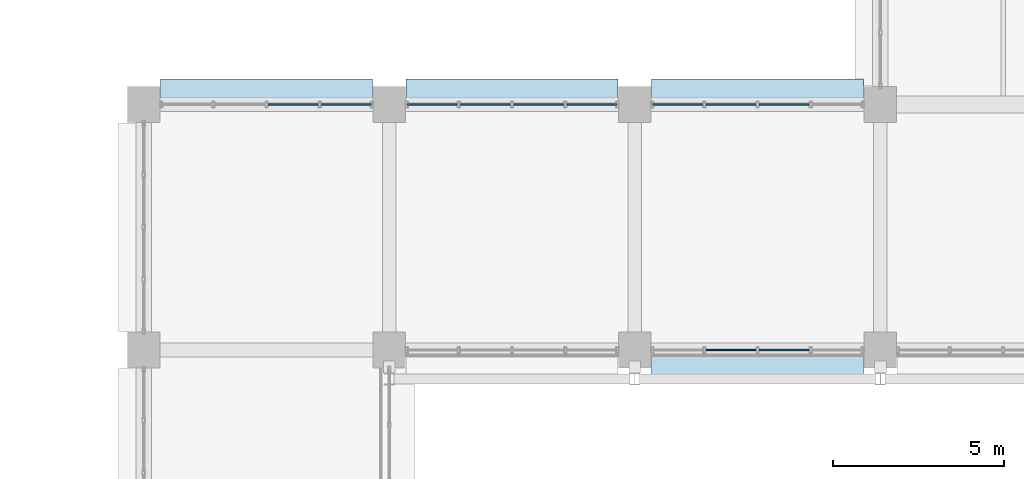
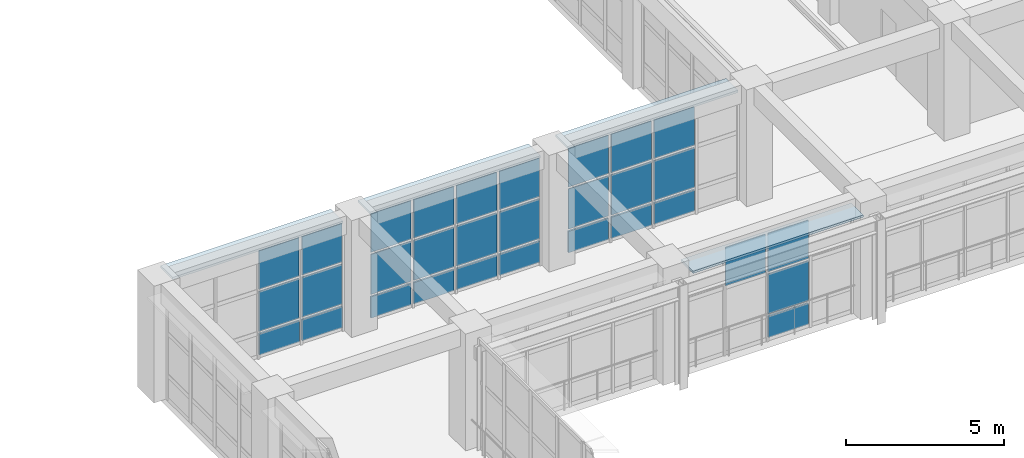
# One storey, part 128 of 171: 35 plates, 4 elements without a shape of their own.
"""IFC4 building model written with IfcOpenShell, lengths in metres."""

from ifc_helpers import new_model, si_unit, direction, frame, origin, origin_2d, place, context, subcontext, project, spatial, rectangle, extrude, material, layer, layer_set, type_object, element, aggregate, save


model = new_model("IFC4")

# Units and contexts
model_context = context("Model", 3, precision=1e-05, world=origin(), true_north=direction((0.0, 1.0)))
body_context = subcontext(model_context, "Body", "Model", "MODEL_VIEW")
ifc_project = project(units=[si_unit("LENGTHUNIT", "METRE"), si_unit("AREAUNIT", "SQUARE_METRE"), si_unit("VOLUMEUNIT", "CUBIC_METRE"), si_unit("PLANEANGLEUNIT", "RADIAN"), si_unit("MASSUNIT", "GRAM", prefix="KILO")], contexts=[model_context])

# Site, building, storey
site_placement = place(None, origin())
site = spatial("IfcSite", under=ifc_project, at=site_placement, CompositionType="ELEMENT")
building_placement = place(site_placement, origin())
building = spatial("IfcBuilding", under=site, at=building_placement, Name="Thalmaran Polytechnic", CompositionType="ELEMENT")
storey_placement = place(building_placement, frame((0.0, 0.0, 5.39990234375)))
storey = spatial("IfcBuildingStorey", under=building, at=storey_placement, Name="L01", CompositionType="ELEMENT", Elevation=5.39990234375)

# Plates
ifc_material_1 = material(Name="Anodised aluminium sun-hood eyebrow", Category="aluminium")
ifc_layer_1 = layer(ifc_material_1, 0.0849609375, Name="Anodised aluminium sun-hood eyebrow")
ifc_layer_set_1 = layer_set([ifc_layer_1], Name="Anodised aluminium sun-hood eyebrow")
plate_type_1 = type_object("IfcPlateType", Name="PT-EB01", PredefinedType="SHEET", material=ifc_layer_set_1)
for number, where, z_axis, x_axis, name in (
    (1, (126.0, 50.0400390625, 4.107666015625), (0.0, 0.0, 1.0), (-1.0, 0.0, 0.0), "Streamline Sun-Hood Eyebrow L01-CW103"),
    (2, (111.60009765625, 57.9599609375, 4.107666015625), (0.0, 0.0, 1.0), (1.0, 0.0, 0.0), "Streamline Sun-Hood Eyebrow L01-CW177"),
    (3, (118.800048828125, 57.9599609375, 4.107666015625), (0.0, 0.0, 1.0), (1.0, 0.0, 0.0), "Streamline Sun-Hood Eyebrow L01-CW178"),
    (4, (126.0, 57.9599609375, 4.107666015625), (0.0, 0.0, 1.0), (1.0, 0.0, 0.0), "Streamline Sun-Hood Eyebrow L01-CW179"),
):
    element("IfcPlate", number, at=place(storey_placement, frame(where, z_axis=z_axis, x_axis=x_axis)), inside=storey, type_object=plate_type_1, Name=name, PredefinedType="SHEET", context=body_context, shape_type="SweptSolid", body=[
        extrude(rectangle(XDim=6.2099609375, YDim=0.760009765625, at=origin_2d()), origin(), (0.0, 0.0, 1.0), 0.0849609375),
    ])

# Curtain wall, plates
ifc_material_2 = material(Name="Aluminium 6063-T6", Category="aluminium")
curtain_wall_type = type_object("IfcCurtainWallType", Name="CW-UC02", PredefinedType="USERDEFINED", material=ifc_material_2)
curtain_wall_1_placement = place(storey_placement, origin())
curtain_wall_1 = element("IfcCurtainWall", 5, at=curtain_wall_1_placement, inside=storey, type_object=curtain_wall_type, Name="Curtain Wall CW-L01-177", ObjectType="UNITISED CURTAIN WALL", PredefinedType="USERDEFINED")
ifc_material_3 = material(Name="Solar-control double low-E glass", Category="glass")
ifc_layer_2 = layer(ifc_material_3, 0.035888671875, Name="Solar-control double low-E glass")
ifc_layer_set_2 = layer_set([ifc_layer_2], Name="Solar-control double low-E glass")
plate_type_2 = type_object("IfcPlateType", Name="PT-GL03", PredefinedType="CURTAIN_PANEL", material=ifc_layer_set_2)
plate_1_placement = place(storey_placement, frame((112.38134765625, 57.60009765625, 1.000244140625), z_axis=(0.0, 0.0, 1.0), x_axis=(1.0, 0.0, 0.0)))
plate_1 = element("IfcPlate", 6, at=plate_1_placement, type_object=plate_type_2, Name="CW-L01-177 Vision Panel 3-2", PredefinedType="CURTAIN_PANEL", context=body_context, shape_type="SweptSolid", body=[
    extrude(rectangle(XDim=1.46240234375, YDim=0.035888671875, at=origin_2d()), origin(), (0.0, 0.0, 1.0), 1.544921875),
])
plate_2_placement = place(storey_placement, frame((112.38134765625, 57.60009765625, 2.625), z_axis=(0.0, 0.0, 1.0), x_axis=(1.0, 0.0, 0.0)))
plate_2 = element("IfcPlate", 7, at=plate_2_placement, type_object=plate_type_2, Name="CW-L01-177 Vision Panel 3-3", PredefinedType="CURTAIN_PANEL", context=body_context, shape_type="SweptSolid", body=[
    extrude(rectangle(XDim=1.46240234375, YDim=0.035888671875, at=origin_2d()), origin(), (0.0, 0.0, 1.0), 1.485107421875),
])
plate_3_placement = place(storey_placement, frame((113.94384765625, 57.60009765625, 1.000244140625), z_axis=(0.0, 0.0, 1.0), x_axis=(1.0, 0.0, 0.0)))
plate_3 = element("IfcPlate", 8, at=plate_3_placement, type_object=plate_type_2, Name="CW-L01-177 Vision Panel 4-2", PredefinedType="CURTAIN_PANEL", context=body_context, shape_type="SweptSolid", body=[
    extrude(rectangle(XDim=1.46240234375, YDim=0.035888671875, at=origin_2d()), origin(), (0.0, 0.0, 1.0), 1.544921875),
])
plate_4_placement = place(storey_placement, frame((113.94384765625, 57.60009765625, 2.625), z_axis=(0.0, 0.0, 1.0), x_axis=(1.0, 0.0, 0.0)))
plate_4 = element("IfcPlate", 9, at=plate_4_placement, type_object=plate_type_2, Name="CW-L01-177 Vision Panel 4-3", PredefinedType="CURTAIN_PANEL", context=body_context, shape_type="SweptSolid", body=[
    extrude(rectangle(XDim=1.46240234375, YDim=0.035888671875, at=origin_2d()), origin(), (0.0, 0.0, 1.0), 1.485107421875),
])

curtain_wall_2_placement = place(storey_placement, origin())
curtain_wall_2 = element("IfcCurtainWall", 10, at=curtain_wall_2_placement, inside=storey, type_object=curtain_wall_type, Name="Curtain Wall CW-L01-103", ObjectType="UNITISED CURTAIN WALL", PredefinedType="USERDEFINED")
ifc_layer_3 = layer(ifc_material_3, 0.035888671875, Name="Solar-control double low-E glass")
ifc_layer_set_3 = layer_set([ifc_layer_3], Name="Solar-control double low-E glass")
plate_type_3 = type_object("IfcPlateType", Name="PT-GL04", PredefinedType="CURTAIN_PANEL", material=ifc_layer_set_3)
plate_5_placement = place(storey_placement, frame((126.78125, 50.39990234375, 1.000244140625), z_axis=(0.0, 0.0, 1.0), x_axis=(-1.0, 0.0, 0.0)))
plate_5 = element("IfcPlate", 11, at=plate_5_placement, type_object=plate_type_3, Name="CW-L01-103 Vision Panel 2-2", PredefinedType="CURTAIN_PANEL", context=body_context, shape_type="SweptSolid", body=[
    extrude(rectangle(XDim=1.46240234375, YDim=0.035888671875, at=origin_2d()), origin(), (0.0, 0.0, 1.0), 1.544921875),
])
plate_6_placement = place(storey_placement, frame((126.78125, 50.39990234375, 2.625), z_axis=(0.0, 0.0, 1.0), x_axis=(-1.0, 0.0, 0.0)))
plate_6 = element("IfcPlate", 12, at=plate_6_placement, type_object=plate_type_3, Name="CW-L01-103 Vision Panel 2-3", PredefinedType="CURTAIN_PANEL", context=body_context, shape_type="SweptSolid", body=[
    extrude(rectangle(XDim=1.46240234375, YDim=0.035888671875, at=origin_2d()), origin(), (0.0, 0.0, 1.0), 1.485107421875),
])
plate_7_placement = place(storey_placement, frame((125.21875, 50.39990234375, 2.625), z_axis=(0.0, 0.0, 1.0), x_axis=(-1.0, 0.0, 0.0)))
plate_7 = element("IfcPlate", 13, at=plate_7_placement, type_object=plate_type_3, Name="CW-L01-103 Vision Panel 3-3", PredefinedType="CURTAIN_PANEL", context=body_context, shape_type="SweptSolid", body=[
    extrude(rectangle(XDim=1.46240234375, YDim=0.035888671875, at=origin_2d()), origin(), (0.0, 0.0, 1.0), 1.485107421875),
])

curtain_wall_3_placement = place(storey_placement, origin())
curtain_wall_3 = element("IfcCurtainWall", 14, at=curtain_wall_3_placement, inside=storey, type_object=curtain_wall_type, Name="Curtain Wall CW-L01-178", ObjectType="UNITISED CURTAIN WALL", PredefinedType="USERDEFINED")
plate_8_placement = place(storey_placement, frame((116.456298828125, 57.60009765625, 1.000244140625), z_axis=(0.0, 0.0, 1.0), x_axis=(1.0, 0.0, 0.0)))
plate_8 = element("IfcPlate", 15, at=plate_8_placement, type_object=plate_type_3, Name="CW-L01-178 Vision Panel 1-2", PredefinedType="CURTAIN_PANEL", context=body_context, shape_type="SweptSolid", body=[
    extrude(rectangle(XDim=1.46240234375, YDim=0.035888671875, at=origin_2d()), origin(), (0.0, 0.0, 1.0), 1.544921875),
])
plate_9_placement = place(storey_placement, frame((116.456298828125, 57.60009765625, 2.625), z_axis=(0.0, 0.0, 1.0), x_axis=(1.0, 0.0, 0.0)))
plate_9 = element("IfcPlate", 16, at=plate_9_placement, type_object=plate_type_3, Name="CW-L01-178 Vision Panel 1-3", PredefinedType="CURTAIN_PANEL", context=body_context, shape_type="SweptSolid", body=[
    extrude(rectangle(XDim=1.46240234375, YDim=0.035888671875, at=origin_2d()), origin(), (0.0, 0.0, 1.0), 1.485107421875),
])
plate_10_placement = place(storey_placement, frame((118.018798828125, 57.60009765625, 1.000244140625), z_axis=(0.0, 0.0, 1.0), x_axis=(1.0, 0.0, 0.0)))
plate_10 = element("IfcPlate", 17, at=plate_10_placement, type_object=plate_type_3, Name="CW-L01-178 Vision Panel 2-2", PredefinedType="CURTAIN_PANEL", context=body_context, shape_type="SweptSolid", body=[
    extrude(rectangle(XDim=1.46240234375, YDim=0.035888671875, at=origin_2d()), origin(), (0.0, 0.0, 1.0), 1.544921875),
])
plate_11_placement = place(storey_placement, frame((118.018798828125, 57.60009765625, 2.625), z_axis=(0.0, 0.0, 1.0), x_axis=(1.0, 0.0, 0.0)))
plate_11 = element("IfcPlate", 18, at=plate_11_placement, type_object=plate_type_3, Name="CW-L01-178 Vision Panel 2-3", PredefinedType="CURTAIN_PANEL", context=body_context, shape_type="SweptSolid", body=[
    extrude(rectangle(XDim=1.46240234375, YDim=0.035888671875, at=origin_2d()), origin(), (0.0, 0.0, 1.0), 1.485107421875),
])
plate_12_placement = place(storey_placement, frame((119.581298828125, 57.60009765625, 1.000244140625), z_axis=(0.0, 0.0, 1.0), x_axis=(1.0, 0.0, 0.0)))
plate_12 = element("IfcPlate", 19, at=plate_12_placement, type_object=plate_type_3, Name="CW-L01-178 Vision Panel 3-2", PredefinedType="CURTAIN_PANEL", context=body_context, shape_type="SweptSolid", body=[
    extrude(rectangle(XDim=1.46240234375, YDim=0.035888671875, at=origin_2d()), origin(), (0.0, 0.0, 1.0), 1.544921875),
])
plate_13_placement = place(storey_placement, frame((119.581298828125, 57.60009765625, 2.625), z_axis=(0.0, 0.0, 1.0), x_axis=(1.0, 0.0, 0.0)))
plate_13 = element("IfcPlate", 20, at=plate_13_placement, type_object=plate_type_3, Name="CW-L01-178 Vision Panel 3-3", PredefinedType="CURTAIN_PANEL", context=body_context, shape_type="SweptSolid", body=[
    extrude(rectangle(XDim=1.46240234375, YDim=0.035888671875, at=origin_2d()), origin(), (0.0, 0.0, 1.0), 1.485107421875),
])
plate_14_placement = place(storey_placement, frame((121.143798828125, 57.60009765625, 1.000244140625), z_axis=(0.0, 0.0, 1.0), x_axis=(1.0, 0.0, 0.0)))
plate_14 = element("IfcPlate", 21, at=plate_14_placement, type_object=plate_type_3, Name="CW-L01-178 Vision Panel 4-2", PredefinedType="CURTAIN_PANEL", context=body_context, shape_type="SweptSolid", body=[
    extrude(rectangle(XDim=1.46240234375, YDim=0.035888671875, at=origin_2d()), origin(), (0.0, 0.0, 1.0), 1.544921875),
])
plate_15_placement = place(storey_placement, frame((121.143798828125, 57.60009765625, 2.625), z_axis=(0.0, 0.0, 1.0), x_axis=(1.0, 0.0, 0.0)))
plate_15 = element("IfcPlate", 22, at=plate_15_placement, type_object=plate_type_3, Name="CW-L01-178 Vision Panel 4-3", PredefinedType="CURTAIN_PANEL", context=body_context, shape_type="SweptSolid", body=[
    extrude(rectangle(XDim=1.46240234375, YDim=0.035888671875, at=origin_2d()), origin(), (0.0, 0.0, 1.0), 1.485107421875),
])

curtain_wall_4_placement = place(storey_placement, origin())
curtain_wall_4 = element("IfcCurtainWall", 23, at=curtain_wall_4_placement, inside=storey, type_object=curtain_wall_type, Name="Curtain Wall CW-L01-179", ObjectType="UNITISED CURTAIN WALL", PredefinedType="USERDEFINED")
ifc_layer_4 = layer(ifc_material_3, 0.035888671875, Name="Solar-control double low-E glass")
ifc_layer_set_4 = layer_set([ifc_layer_4], Name="Solar-control double low-E glass")
plate_type_4 = type_object("IfcPlateType", Name="PT-GL05", PredefinedType="CURTAIN_PANEL", material=ifc_layer_set_4)
plate_16_placement = place(storey_placement, frame((123.65625, 57.60009765625, 1.000244140625), z_axis=(0.0, 0.0, 1.0), x_axis=(1.0, 0.0, 0.0)))
plate_16 = element("IfcPlate", 24, at=plate_16_placement, type_object=plate_type_4, Name="CW-L01-179 Vision Panel 1-2", PredefinedType="CURTAIN_PANEL", context=body_context, shape_type="SweptSolid", body=[
    extrude(rectangle(XDim=1.46240234375, YDim=0.035888671875, at=origin_2d()), origin(), (0.0, 0.0, 1.0), 1.544921875),
])
plate_17_placement = place(storey_placement, frame((123.65625, 57.60009765625, 2.625), z_axis=(0.0, 0.0, 1.0), x_axis=(1.0, 0.0, 0.0)))
plate_17 = element("IfcPlate", 25, at=plate_17_placement, type_object=plate_type_4, Name="CW-L01-179 Vision Panel 1-3", PredefinedType="CURTAIN_PANEL", context=body_context, shape_type="SweptSolid", body=[
    extrude(rectangle(XDim=1.46240234375, YDim=0.035888671875, at=origin_2d()), origin(), (0.0, 0.0, 1.0), 1.485107421875),
])
plate_18_placement = place(storey_placement, frame((125.21875, 57.60009765625, 1.000244140625), z_axis=(0.0, 0.0, 1.0), x_axis=(1.0, 0.0, 0.0)))
plate_18 = element("IfcPlate", 26, at=plate_18_placement, type_object=plate_type_4, Name="CW-L01-179 Vision Panel 2-2", PredefinedType="CURTAIN_PANEL", context=body_context, shape_type="SweptSolid", body=[
    extrude(rectangle(XDim=1.46240234375, YDim=0.035888671875, at=origin_2d()), origin(), (0.0, 0.0, 1.0), 1.544921875),
])
plate_19_placement = place(storey_placement, frame((125.21875, 57.60009765625, 2.625), z_axis=(0.0, 0.0, 1.0), x_axis=(1.0, 0.0, 0.0)))
plate_19 = element("IfcPlate", 27, at=plate_19_placement, type_object=plate_type_4, Name="CW-L01-179 Vision Panel 2-3", PredefinedType="CURTAIN_PANEL", context=body_context, shape_type="SweptSolid", body=[
    extrude(rectangle(XDim=1.46240234375, YDim=0.035888671875, at=origin_2d()), origin(), (0.0, 0.0, 1.0), 1.485107421875),
])
plate_20_placement = place(storey_placement, frame((126.78125, 57.60009765625, 1.000244140625), z_axis=(0.0, 0.0, 1.0), x_axis=(1.0, 0.0, 0.0)))
plate_20 = element("IfcPlate", 28, at=plate_20_placement, type_object=plate_type_4, Name="CW-L01-179 Vision Panel 3-2", PredefinedType="CURTAIN_PANEL", context=body_context, shape_type="SweptSolid", body=[
    extrude(rectangle(XDim=1.46240234375, YDim=0.035888671875, at=origin_2d()), origin(), (0.0, 0.0, 1.0), 1.544921875),
])
plate_21_placement = place(storey_placement, frame((126.78125, 57.60009765625, 2.625), z_axis=(0.0, 0.0, 1.0), x_axis=(1.0, 0.0, 0.0)))
plate_21 = element("IfcPlate", 29, at=plate_21_placement, type_object=plate_type_4, Name="CW-L01-179 Vision Panel 3-3", PredefinedType="CURTAIN_PANEL", context=body_context, shape_type="SweptSolid", body=[
    extrude(rectangle(XDim=1.46240234375, YDim=0.035888671875, at=origin_2d()), origin(), (0.0, 0.0, 1.0), 1.485107421875),
])

# Plate
ifc_material_4 = material(Name="Insulated anodised aluminium spandrel", Category="aluminium")
ifc_layer_5 = layer(ifc_material_4, 0.06005859375, Name="Insulated anodised aluminium spandrel")
ifc_layer_set_5 = layer_set([ifc_layer_5], Name="Insulated anodised aluminium spandrel")
plate_type_5 = type_object("IfcPlateType", Name="PT-SP01", PredefinedType="CURTAIN_PANEL", material=ifc_layer_set_5)
plate_22_placement = place(storey_placement, frame((112.38134765625, 57.60009765625, 0.10009765625), z_axis=(0.0, 0.0, 1.0), x_axis=(1.0, 0.0, 0.0)))
plate_22 = element("IfcPlate", 30, at=plate_22_placement, type_object=plate_type_5, Name="CW-L01-177 Spandrel Panel 3-1", PredefinedType="CURTAIN_PANEL", context=body_context, shape_type="SweptSolid", body=[
    extrude(rectangle(XDim=1.46240234375, YDim=0.06005859375, at=origin_2d()), origin(), (0.0, 0.0, 1.0), 0.820068359375),
])

plate_23_placement = place(storey_placement, frame((113.94384765625, 57.60009765625, 0.10009765625), z_axis=(0.0, 0.0, 1.0), x_axis=(1.0, 0.0, 0.0)))
plate_23 = element("IfcPlate", 31, at=plate_23_placement, type_object=plate_type_5, Name="CW-L01-177 Spandrel Panel 4-1", PredefinedType="CURTAIN_PANEL", context=body_context, shape_type="SweptSolid", body=[
    extrude(rectangle(XDim=1.46240234375, YDim=0.06005859375, at=origin_2d()), origin(), (0.0, 0.0, 1.0), 0.820068359375),
])

aggregate(curtain_wall_1, [plate_22, plate_1, plate_2, plate_23, plate_3, plate_4])

ifc_layer_6 = layer(ifc_material_4, 0.06005859375, Name="Insulated anodised aluminium spandrel")
ifc_layer_set_6 = layer_set([ifc_layer_6], Name="Insulated anodised aluminium spandrel")
plate_type_6 = type_object("IfcPlateType", Name="PT-SP02", PredefinedType="CURTAIN_PANEL", material=ifc_layer_set_6)
plate_24_placement = place(storey_placement, frame((126.78125, 50.39990234375, 0.10009765625), z_axis=(0.0, 0.0, 1.0), x_axis=(-1.0, 0.0, 0.0)))
plate_24 = element("IfcPlate", 32, at=plate_24_placement, type_object=plate_type_6, Name="CW-L01-103 Spandrel Panel 2-1", PredefinedType="CURTAIN_PANEL", context=body_context, shape_type="SweptSolid", body=[
    extrude(rectangle(XDim=1.46240234375, YDim=0.06005859375, at=origin_2d()), origin(), (0.0, 0.0, 1.0), 0.820068359375),
])

aggregate(curtain_wall_2, [plate_24, plate_5, plate_6, plate_7])

plate_25_placement = place(storey_placement, frame((116.456298828125, 57.60009765625, 0.10009765625), z_axis=(0.0, 0.0, 1.0), x_axis=(1.0, 0.0, 0.0)))
plate_25 = element("IfcPlate", 33, at=plate_25_placement, type_object=plate_type_6, Name="CW-L01-178 Spandrel Panel 1-1", PredefinedType="CURTAIN_PANEL", context=body_context, shape_type="SweptSolid", body=[
    extrude(rectangle(XDim=1.46240234375, YDim=0.06005859375, at=origin_2d()), origin(), (0.0, 0.0, 1.0), 0.820068359375),
])

plate_26_placement = place(storey_placement, frame((118.018798828125, 57.60009765625, 0.10009765625), z_axis=(0.0, 0.0, 1.0), x_axis=(1.0, 0.0, 0.0)))
plate_26 = element("IfcPlate", 34, at=plate_26_placement, type_object=plate_type_6, Name="CW-L01-178 Spandrel Panel 2-1", PredefinedType="CURTAIN_PANEL", context=body_context, shape_type="SweptSolid", body=[
    extrude(rectangle(XDim=1.46240234375, YDim=0.06005859375, at=origin_2d()), origin(), (0.0, 0.0, 1.0), 0.820068359375),
])

plate_27_placement = place(storey_placement, frame((119.581298828125, 57.60009765625, 0.10009765625), z_axis=(0.0, 0.0, 1.0), x_axis=(1.0, 0.0, 0.0)))
plate_27 = element("IfcPlate", 35, at=plate_27_placement, type_object=plate_type_6, Name="CW-L01-178 Spandrel Panel 3-1", PredefinedType="CURTAIN_PANEL", context=body_context, shape_type="SweptSolid", body=[
    extrude(rectangle(XDim=1.46240234375, YDim=0.06005859375, at=origin_2d()), origin(), (0.0, 0.0, 1.0), 0.820068359375),
])

plate_28_placement = place(storey_placement, frame((121.143798828125, 57.60009765625, 0.10009765625), z_axis=(0.0, 0.0, 1.0), x_axis=(1.0, 0.0, 0.0)))
plate_28 = element("IfcPlate", 36, at=plate_28_placement, type_object=plate_type_6, Name="CW-L01-178 Spandrel Panel 4-1", PredefinedType="CURTAIN_PANEL", context=body_context, shape_type="SweptSolid", body=[
    extrude(rectangle(XDim=1.46240234375, YDim=0.06005859375, at=origin_2d()), origin(), (0.0, 0.0, 1.0), 0.820068359375),
])

aggregate(curtain_wall_3, [plate_25, plate_8, plate_9, plate_26, plate_10, plate_11, plate_27, plate_12, plate_13, plate_28, plate_14, plate_15])

ifc_layer_7 = layer(ifc_material_4, 0.06005859375, Name="Insulated anodised aluminium spandrel")
ifc_layer_set_7 = layer_set([ifc_layer_7], Name="Insulated anodised aluminium spandrel")
plate_type_7 = type_object("IfcPlateType", Name="PT-SP03", PredefinedType="CURTAIN_PANEL", material=ifc_layer_set_7)
plate_29_placement = place(storey_placement, frame((123.65625, 57.60009765625, 0.10009765625), z_axis=(0.0, 0.0, 1.0), x_axis=(1.0, 0.0, 0.0)))
plate_29 = element("IfcPlate", 37, at=plate_29_placement, type_object=plate_type_7, Name="CW-L01-179 Spandrel Panel 1-1", PredefinedType="CURTAIN_PANEL", context=body_context, shape_type="SweptSolid", body=[
    extrude(rectangle(XDim=1.46240234375, YDim=0.06005859375, at=origin_2d()), origin(), (0.0, 0.0, 1.0), 0.820068359375),
])

plate_30_placement = place(storey_placement, frame((125.21875, 57.60009765625, 0.10009765625), z_axis=(0.0, 0.0, 1.0), x_axis=(1.0, 0.0, 0.0)))
plate_30 = element("IfcPlate", 38, at=plate_30_placement, type_object=plate_type_7, Name="CW-L01-179 Spandrel Panel 2-1", PredefinedType="CURTAIN_PANEL", context=body_context, shape_type="SweptSolid", body=[
    extrude(rectangle(XDim=1.46240234375, YDim=0.06005859375, at=origin_2d()), origin(), (0.0, 0.0, 1.0), 0.820068359375),
])

plate_31_placement = place(storey_placement, frame((126.78125, 57.60009765625, 0.10009765625), z_axis=(0.0, 0.0, 1.0), x_axis=(1.0, 0.0, 0.0)))
plate_31 = element("IfcPlate", 39, at=plate_31_placement, type_object=plate_type_7, Name="CW-L01-179 Spandrel Panel 3-1", PredefinedType="CURTAIN_PANEL", context=body_context, shape_type="SweptSolid", body=[
    extrude(rectangle(XDim=1.46240234375, YDim=0.06005859375, at=origin_2d()), origin(), (0.0, 0.0, 1.0), 0.820068359375),
])

aggregate(curtain_wall_4, [plate_29, plate_16, plate_17, plate_30, plate_18, plate_19, plate_31, plate_20, plate_21])

save(model, "model.ifc")
